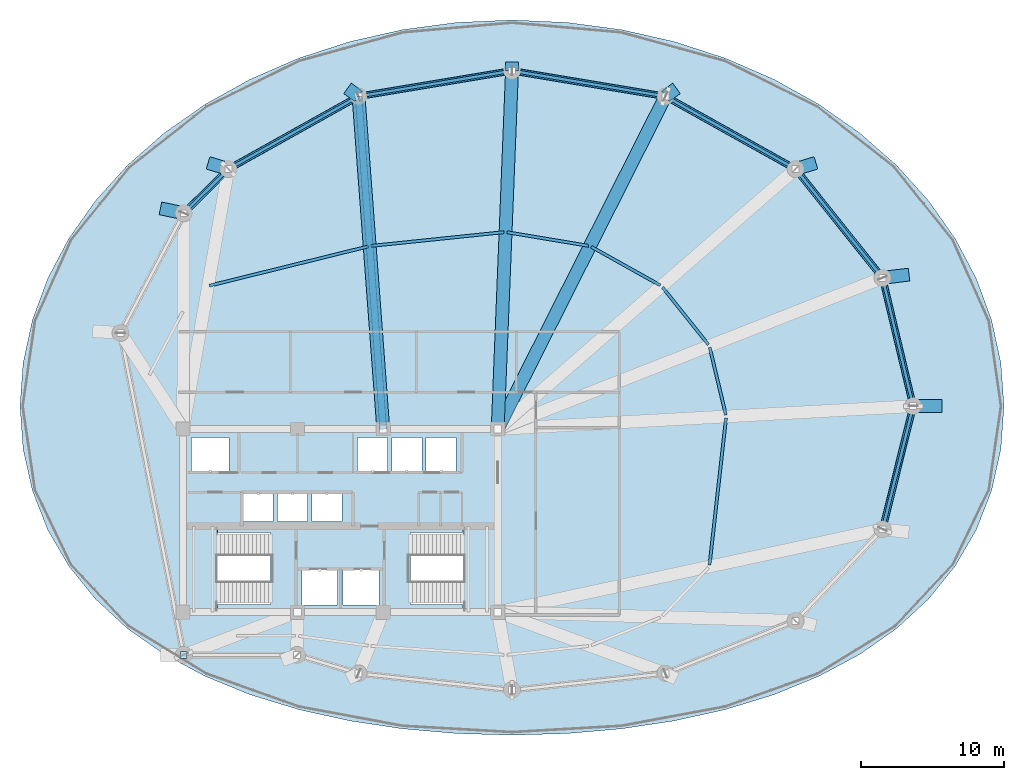
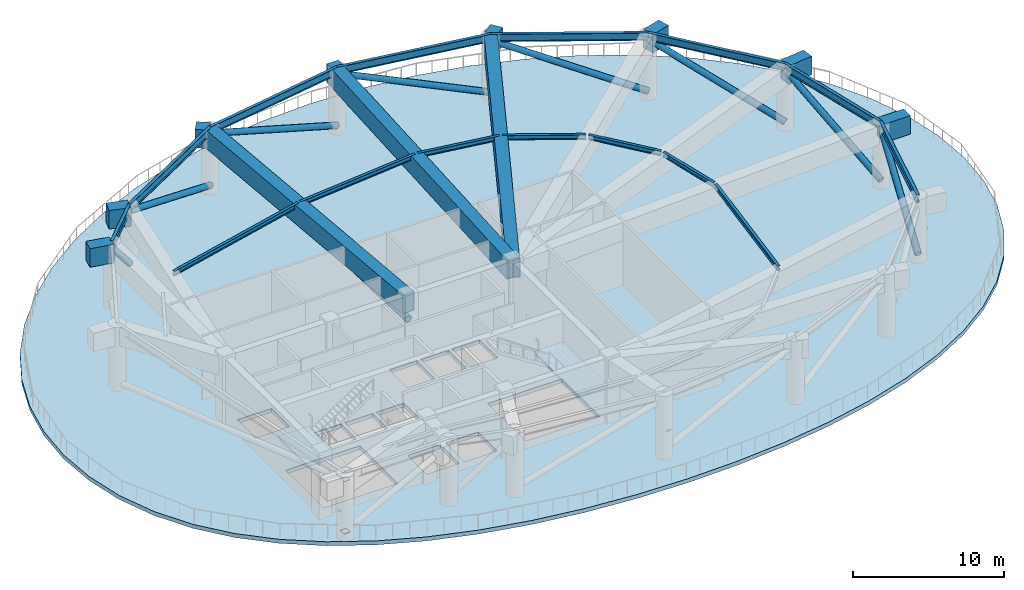
# One storey, part 2 of 9: 26 beams, 9 members, 3 slabs, 2 plates, 2 elements without a shape of their own.
"""IFC4 building model written with IfcOpenShell, lengths in metres."""

from ifc_helpers import new_model, si_unit, direction, frame, origin, origin_2d, place, context, subcontext, project, spatial, polyline, rectangle, hollow_circle, i_section, outline, extrude, material, layer, layer_set, material_profile, profile_set, type_object, element, aggregate, save


model = new_model("IFC4")

# Units and contexts
model_context = context("Model", 3, precision=1e-05, world=origin(), true_north=direction((0.0, 1.0)))
body_context = subcontext(model_context, "Body", "Model", "MODEL_VIEW")
ifc_project = project(units=[si_unit("LENGTHUNIT", "METRE"), si_unit("AREAUNIT", "SQUARE_METRE"), si_unit("VOLUMEUNIT", "CUBIC_METRE"), si_unit("PLANEANGLEUNIT", "RADIAN"), si_unit("MASSUNIT", "GRAM", prefix="KILO")], contexts=[model_context])

# Site, building, storey
site_placement = place(None, origin())
site = spatial("IfcSite", under=ifc_project, at=site_placement, CompositionType="ELEMENT")
building_placement = place(site_placement, origin())
building = spatial("IfcBuilding", under=site, at=building_placement, Name="Kazevale Care Tower and Concert Hall", CompositionType="ELEMENT")
storey_placement = place(building_placement, frame((0.0, 0.0, 181.800048828125)))
storey = spatial("IfcBuildingStorey", under=building, at=storey_placement, Name="L48", CompositionType="ELEMENT", Elevation=181.800048828125)

# Members
ifc_material_1 = material(Name="Steel ASTM A572 Gr 50", Category="steel")
ifc_material_profile_1 = material_profile(ifc_material_1, hollow_circle(Radius=0.228515625, WallThickness=0.028076171875, at=origin_2d()), Name="CHS457x28")
ifc_profile_set_1 = profile_set([ifc_material_profile_1], Name="Steel ASTM A572 Gr 50")
member_type_1 = type_object("IfcMemberType", Name="Belt Truss Diagonal CHS457x28", PredefinedType="BRACE", material=ifc_profile_set_1)
member_1_placement = place(storey_placement, frame((73.050048828125, 38.0, 0.39990234375), z_axis=(-0.211115596827, 0.88485034714, 0.415295157619), x_axis=(-0.972697881378, -0.232075055882, 0.0)))
element("IfcMember", 1, at=member_1_placement, inside=storey, type_object=member_type_1, Name="brace:L48:belt:01", PredefinedType="BRACE", context=body_context, shape_type="SweptSolid", body=[
    extrude(hollow_circle(Radius=0.228515625, WallThickness=0.028076171875, at=origin_2d()), origin(), (0.0, 0.0, 1.0), 10.13720703125),
])
member_2_placement = place(storey_placement, frame((70.909912109375, 46.969970703125, 0.39990234375), z_axis=(-0.57295285214, 0.717163127096, 0.396739307807), x_axis=(-0.781281895242, -0.624178340034, 0.0)))
element("IfcMember", 2, at=member_2_placement, inside=storey, type_object=member_type_1, Name="brace:L48:belt:02", PredefinedType="BRACE", context=body_context, shape_type="SweptSolid", body=[
    extrude(hollow_circle(Radius=0.228515625, WallThickness=0.028076171875, at=origin_2d()), origin(), (0.0, 0.0, 1.0), 10.611328125),
])
member_3_placement = place(storey_placement, frame((64.830078125, 54.580078125, 0.39990234375), z_axis=(-0.809608700584, 0.451937764476, 0.374547739252), x_axis=(-0.487418081297, -0.873168720251, 0.0)))
element("IfcMember", 3, at=member_3_placement, inside=storey, type_object=member_type_1, Name="brace:L48:belt:03", PredefinedType="BRACE", context=body_context, shape_type="SweptSolid", body=[
    extrude(hollow_circle(Radius=0.228515625, WallThickness=0.028076171875, at=origin_2d()), origin(), (0.0, 0.0, 1.0), 11.240234375),
])
for number, where, z_axis, x_axis, name in (
    (4, (55.72998046875, 59.659912109375, 0.39990234375), (-0.919883678493, 0.153460458037, 0.360920913582), (-0.164551840139, -0.986368436187, 0.0), "brace:L48:belt:04"),
    (5, (45.0, 61.449951171875, 0.39990234375), (-0.919883678493, -0.153460458037, 0.360920913582), (0.164551840139, -0.986368436187, 0.0), "brace:L48:belt:05"),
):
    element("IfcMember", number, at=place(storey_placement, frame(where, z_axis=z_axis, x_axis=x_axis)), inside=storey, type_object=member_type_1, Name=name, PredefinedType="BRACE", context=body_context, shape_type="SweptSolid", body=[
        extrude(hollow_circle(Radius=0.228515625, WallThickness=0.028076171875, at=origin_2d()), origin(), (0.0, 0.0, 1.0), 11.66455078125),
    ])
member_4_placement = place(storey_placement, frame((34.27001953125, 59.659912109375, 0.39990234375), z_axis=(-0.809608700584, -0.451937764476, 0.374547739252), x_axis=(0.487418081297, -0.873168720251, 0.0)))
element("IfcMember", 6, at=member_4_placement, inside=storey, type_object=member_type_1, Name="brace:L48:belt:06", PredefinedType="BRACE", context=body_context, shape_type="SweptSolid", body=[
    extrude(hollow_circle(Radius=0.228515625, WallThickness=0.028076171875, at=origin_2d()), origin(), (0.0, 0.0, 1.0), 11.240234375),
])
member_5_placement = place(storey_placement, frame((25.169921875, 54.580078125, 0.39990234375), z_axis=(-0.512862234566, -0.50796598348, 0.692056997641), x_axis=(0.703707154085, -0.710490141585, 0.0)))
element("IfcMember", 7, at=member_5_placement, inside=storey, type_object=member_type_1, Name="brace:L48:belt:07", PredefinedType="BRACE", context=body_context, shape_type="SweptSolid", body=[
    extrude(hollow_circle(Radius=0.228515625, WallThickness=0.028076171875, at=origin_2d()), origin(), (0.0, 0.0, 1.0), 6.083251953125),
])
member_6_placement = place(storey_placement, frame((70.909912109375, 29.389892578125, 0.39990234375), z_axis=(0.217930307813, 0.876767986041, 0.428700687648), x_axis=(-0.970470204653, 0.241221022882, 0.0)))
element("IfcMember", 8, at=member_6_placement, inside=storey, type_object=member_type_1, Name="brace:L48:belt:16", PredefinedType="BRACE", context=body_context, shape_type="SweptSolid", body=[
    extrude(hollow_circle(Radius=0.228515625, WallThickness=0.028076171875, at=origin_2d()), origin(), (0.0, 0.0, 1.0), 9.8203125),
])
ifc_material_profile_2 = material_profile(ifc_material_1, hollow_circle(Radius=0.25390625, WallThickness=0.031982421875, at=origin_2d()), Name="CHS508x32")
ifc_profile_set_2 = profile_set([ifc_material_profile_2], Name="Steel ASTM A572 Gr 50")
member_type_2 = type_object("IfcMemberType", Name="Outrigger Diagonal CHS508x32", PredefinedType="BRACE", material=ifc_profile_set_2)
member_7_placement = place(storey_placement, frame((36.0, 36.39990234375, 3.099853515625), z_axis=(-0.07401592923, 0.995162238995, 0.064604646103), x_axis=(-0.997245547011, -0.074170876808, 0.0)))
element("IfcMember", 9, at=member_7_placement, inside=storey, type_object=member_type_2, Name="brace:L48:outrig:2", PredefinedType="BRACE", context=body_context, shape_type="SweptSolid", body=[
    extrude(hollow_circle(Radius=0.25390625, WallThickness=0.031982421875, at=origin_2d()), origin(), (0.0, 0.0, 1.0), 23.373046875),
])

# Beams
ifc_material_2 = material(Name="Concrete C60", Category="concrete")
ifc_material_profile_3 = material_profile(ifc_material_2, rectangle(XDim=0.89990234375, YDim=1.5, at=origin_2d()), Name="RC-TG900x1500")
ifc_profile_set_3 = profile_set([ifc_material_profile_3], Name="Concrete C60")
beam_type_1 = type_object("IfcBeamType", Name="Podium Transfer Girder RC900x1500", PredefinedType="BEAM", material=ifc_profile_set_3)
beam_1_placement = place(storey_placement, frame((73.050048828125, 38.0, 4.409912109375), z_axis=(1.0, 0.0, 0.0), x_axis=(0.0, 1.0, 0.0)))
element("IfcBeam", 10, at=beam_1_placement, inside=storey, type_object=beam_type_1, Name="beam:L48:ztg_out:01", PredefinedType="BEAM", context=body_context, shape_type="SweptSolid", body=[
    extrude(rectangle(XDim=0.89990234375, YDim=1.5, at=origin_2d()), origin(), (0.0, 0.0, 1.0), 2.0),
])
beam_2_placement = place(storey_placement, frame((70.909912109375, 46.969970703125, 4.409912109375), z_axis=(0.992362261637, 0.123357779158, 0.0), x_axis=(-0.123357779158, 0.992362261637, 0.0)))
element("IfcBeam", 11, at=beam_2_placement, inside=storey, type_object=beam_type_1, Name="beam:L48:ztg_out:02", PredefinedType="BEAM", context=body_context, shape_type="SweptSolid", body=[
    extrude(rectangle(XDim=0.89990234375, YDim=1.5, at=origin_2d()), origin(), (0.0, 0.0, 1.0), 1.8642578125),
])
beam_3_placement = place(storey_placement, frame((64.830078125, 54.580078125, 4.409912109375), z_axis=(0.957089429883, 0.289792724557, 0.0), x_axis=(-0.289792724557, 0.957089429883, 0.0)))
element("IfcBeam", 12, at=beam_3_placement, inside=storey, type_object=beam_type_1, Name="beam:L48:ztg_out:03", PredefinedType="BEAM", context=body_context, shape_type="SweptSolid", body=[
    extrude(rectangle(XDim=0.89990234375, YDim=1.5, at=origin_2d()), origin(), (0.0, 0.0, 1.0), 1.483642578125),
])
beam_4_placement = place(storey_placement, frame((44.0, 36.39990234375, 4.409912109375), z_axis=(0.450281187568, 0.892886808124, 0.0), x_axis=(-0.892886808124, 0.450281187568, 0.0)))
element("IfcBeam", 13, at=beam_4_placement, inside=storey, type_object=beam_type_1, Name="beam:L48:ztg_in:04", PredefinedType="BEAM", context=body_context, shape_type="SweptSolid", body=[
    extrude(rectangle(XDim=0.89990234375, YDim=1.5, at=origin_2d()), origin(), (0.0, 0.0, 1.0), 26.05029296875),
])
beam_5_placement = place(storey_placement, frame((55.72998046875, 59.659912109375, 4.409912109375), z_axis=(0.808713907817, 0.588202189135, 0.0), x_axis=(-0.588202189135, 0.808713907817, 0.0)))
element("IfcBeam", 14, at=beam_5_placement, inside=storey, type_object=beam_type_1, Name="beam:L48:ztg_out:04", PredefinedType="BEAM", context=body_context, shape_type="SweptSolid", body=[
    extrude(rectangle(XDim=0.89990234375, YDim=1.5, at=origin_2d()), origin(), (0.0, 0.0, 1.0), 0.9521484375),
])
beam_6_placement = place(storey_placement, frame((44.0, 36.39990234375, 4.409912109375), z_axis=(0.039888311255, 0.99920414462, 0.0), x_axis=(-0.99920414462, 0.039888311255, 0.0)))
element("IfcBeam", 15, at=beam_6_placement, inside=storey, type_object=beam_type_1, Name="beam:L48:ztg_in:05", PredefinedType="BEAM", context=body_context, shape_type="SweptSolid", body=[
    extrude(rectangle(XDim=0.89990234375, YDim=1.5, at=origin_2d()), origin(), (0.0, 0.0, 1.0), 25.070068359375),
])
beam_7_placement = place(storey_placement, frame((45.0, 61.449951171875, 4.409912109375), z_axis=(0.0, 1.0, 0.0), x_axis=(-1.0, 0.0, 0.0)))
element("IfcBeam", 16, at=beam_7_placement, inside=storey, type_object=beam_type_1, Name="beam:L48:ztg_out:05", PredefinedType="BEAM", context=body_context, shape_type="SweptSolid", body=[
    extrude(rectangle(XDim=0.89990234375, YDim=1.5, at=origin_2d()), origin(), (0.0, 0.0, 1.0), 0.60009765625),
])
beam_8_placement = place(storey_placement, frame((36.0, 36.39990234375, 4.409912109375), z_axis=(-0.074170876808, 0.997245547011, 0.0), x_axis=(-0.997245547011, -0.074170876808, 0.0)))
element("IfcBeam", 17, at=beam_8_placement, inside=storey, type_object=beam_type_1, Name="beam:L48:ztg_in:06", PredefinedType="BEAM", context=body_context, shape_type="SweptSolid", body=[
    extrude(rectangle(XDim=0.89990234375, YDim=1.5, at=origin_2d()), origin(), (0.0, 0.0, 1.0), 23.32421875),
])
beam_9_placement = place(storey_placement, frame((34.27001953125, 59.659912109375, 4.409912109375), z_axis=(-0.808713907817, 0.588202189135, 0.0), x_axis=(-0.588202189135, -0.808713907817, 0.0)))
element("IfcBeam", 18, at=beam_9_placement, inside=storey, type_object=beam_type_1, Name="beam:L48:ztg_out:06", PredefinedType="BEAM", context=body_context, shape_type="SweptSolid", body=[
    extrude(rectangle(XDim=0.89990234375, YDim=1.5, at=origin_2d()), origin(), (0.0, 0.0, 1.0), 0.9521484375),
])
beam_10_placement = place(storey_placement, frame((25.169921875, 54.580078125, 4.409912109375), z_axis=(-0.957089429883, 0.289792724557, 0.0), x_axis=(-0.289792724557, -0.957089429883, 0.0)))
element("IfcBeam", 19, at=beam_10_placement, inside=storey, type_object=beam_type_1, Name="beam:L48:ztg_out:07", PredefinedType="BEAM", context=body_context, shape_type="SweptSolid", body=[
    extrude(rectangle(XDim=0.89990234375, YDim=1.5, at=origin_2d()), origin(), (0.0, 0.0, 1.0), 1.483642578125),
])
beam_11_placement = place(storey_placement, frame((22.050048828125, 51.489990234375, 4.409912109375), z_axis=(-0.978923053886, 0.204229416514, 0.0), x_axis=(-0.204229416514, -0.978923053886, 0.0)))
element("IfcBeam", 20, at=beam_11_placement, inside=storey, type_object=beam_type_1, Name="beam:L48:ztg_out:08", PredefinedType="BEAM", context=body_context, shape_type="SweptSolid", body=[
    extrude(rectangle(XDim=0.89990234375, YDim=1.5, at=origin_2d()), origin(), (0.0, 0.0, 1.0), 1.665283203125),
])
ifc_material_profile_4 = material_profile(ifc_material_1, i_section(OverallWidth=0.22900390625, OverallDepth=0.612060546875, WebThickness=0.011962890625, FlangeThickness=0.01953125, at=origin_2d()), Name="W610x125")
ifc_profile_set_4 = profile_set([ifc_material_profile_4], Name="Steel ASTM A572 Gr 50")
beam_type_2 = type_object("IfcBeamType", Name="Ring Spandrel Beam W610x125", PredefinedType="SPANDREL", material=ifc_profile_set_4)
beam_12_placement = place(storey_placement, frame((73.050048828125, 38.0, 4.85400390625), z_axis=(-0.232075055882, 0.972697881378, 0.0), x_axis=(-0.972697881378, -0.232075055882, 0.0)))
element("IfcBeam", 21, at=beam_12_placement, inside=storey, type_object=beam_type_2, Name="beam:L48:ring:01", PredefinedType="SPANDREL", context=body_context, shape_type="SweptSolid", body=[
    extrude(i_section(OverallWidth=0.22900390625, OverallDepth=0.612060546875, WebThickness=0.011962890625, FlangeThickness=0.01953125, at=origin_2d()), origin(), (0.0, 0.0, 1.0), 9.2216796875),
])
beam_13_placement = place(storey_placement, frame((70.909912109375, 46.969970703125, 4.85400390625), z_axis=(-0.624178340034, 0.781281895242, 0.0), x_axis=(-0.781281895242, -0.624178340034, 0.0)))
element("IfcBeam", 22, at=beam_13_placement, inside=storey, type_object=beam_type_2, Name="beam:L48:ring:02", PredefinedType="SPANDREL", context=body_context, shape_type="SweptSolid", body=[
    extrude(i_section(OverallWidth=0.22900390625, OverallDepth=0.612060546875, WebThickness=0.011962890625, FlangeThickness=0.01953125, at=origin_2d()), origin(), (0.0, 0.0, 1.0), 9.740478515625),
])
beam_14_placement = place(storey_placement, frame((64.830078125, 54.580078125, 4.85400390625), z_axis=(-0.873168720251, 0.487418081297, 0.0), x_axis=(-0.487418081297, -0.873168720251, 0.0)))
element("IfcBeam", 23, at=beam_14_placement, inside=storey, type_object=beam_type_2, Name="beam:L48:ring:03", PredefinedType="SPANDREL", context=body_context, shape_type="SweptSolid", body=[
    extrude(i_section(OverallWidth=0.22900390625, OverallDepth=0.612060546875, WebThickness=0.011962890625, FlangeThickness=0.01953125, at=origin_2d()), origin(), (0.0, 0.0, 1.0), 10.421875),
])
for number, where, z_axis, x_axis, name in (
    (24, (55.72998046875, 59.659912109375, 4.85400390625), (-0.986368436187, 0.164551840139, 0.0), (-0.164551840139, -0.986368436187, 0.0), "beam:L48:ring:04"),
    (25, (45.0, 61.449951171875, 4.85400390625), (-0.986368436187, -0.164551840139, 0.0), (0.164551840139, -0.986368436187, 0.0), "beam:L48:ring:05"),
):
    element("IfcBeam", number, at=place(storey_placement, frame(where, z_axis=z_axis, x_axis=x_axis)), inside=storey, type_object=beam_type_2, Name=name, PredefinedType="SPANDREL", context=body_context, shape_type="SweptSolid", body=[
        extrude(i_section(OverallWidth=0.22900390625, OverallDepth=0.612060546875, WebThickness=0.011962890625, FlangeThickness=0.01953125, at=origin_2d()), origin(), (0.0, 0.0, 1.0), 10.878173828125),
    ])
beam_15_placement = place(storey_placement, frame((34.27001953125, 59.659912109375, 4.85400390625), z_axis=(-0.873168720251, -0.487418081297, 0.0), x_axis=(0.487418081297, -0.873168720251, 0.0)))
element("IfcBeam", 26, at=beam_15_placement, inside=storey, type_object=beam_type_2, Name="beam:L48:ring:06", PredefinedType="SPANDREL", context=body_context, shape_type="SweptSolid", body=[
    extrude(i_section(OverallWidth=0.22900390625, OverallDepth=0.612060546875, WebThickness=0.011962890625, FlangeThickness=0.01953125, at=origin_2d()), origin(), (0.0, 0.0, 1.0), 10.421875),
])
beam_16_placement = place(storey_placement, frame((25.169921875, 54.580078125, 4.85400390625), z_axis=(-0.710490141585, -0.703707154085, 0.0), x_axis=(0.703707154085, -0.710490141585, 0.0)))
element("IfcBeam", 27, at=beam_16_placement, inside=storey, type_object=beam_type_2, Name="beam:L48:ring:07", PredefinedType="SPANDREL", context=body_context, shape_type="SweptSolid", body=[
    extrude(i_section(OverallWidth=0.22900390625, OverallDepth=0.612060546875, WebThickness=0.011962890625, FlangeThickness=0.01953125, at=origin_2d()), origin(), (0.0, 0.0, 1.0), 4.39111328125),
])
beam_17_placement = place(storey_placement, frame((70.909912109375, 29.389892578125, 4.85400390625), z_axis=(0.241221022882, 0.970470204653, 0.0), x_axis=(-0.970470204653, 0.241221022882, 0.0)))
element("IfcBeam", 28, at=beam_17_placement, inside=storey, type_object=beam_type_2, Name="beam:L48:ring:16", PredefinedType="SPANDREL", context=body_context, shape_type="SweptSolid", body=[
    extrude(i_section(OverallWidth=0.22900390625, OverallDepth=0.612060546875, WebThickness=0.011962890625, FlangeThickness=0.01953125, at=origin_2d()), origin(), (0.0, 0.0, 1.0), 8.8720703125),
])
ifc_material_profile_5 = material_profile(ifc_material_1, i_section(OverallWidth=0.205078125, OverallDepth=0.35400390625, WebThickness=0.009521484375, FlangeThickness=0.016845703125, at=origin_2d()), Name="W360x79")
ifc_profile_set_5 = profile_set([ifc_material_profile_5], Name="Steel ASTM A572 Gr 50")
beam_type_3 = type_object("IfcBeamType", Name="Secondary Floor Joist W360x79", PredefinedType="JOIST", material=ifc_profile_set_5)
beam_18_placement = place(storey_placement, frame((59.952880859375, 37.382080078125, 4.98291015625), z_axis=(-0.232005223279, 0.972714540023, 0.0), x_axis=(-0.972714540023, -0.232005223279, 0.0)))
element("IfcBeam", 29, at=beam_18_placement, inside=storey, type_object=beam_type_3, Name="beam:L48:joist:01", PredefinedType="JOIST", context=body_context, shape_type="SweptSolid", body=[
    extrude(i_section(OverallWidth=0.205078125, OverallDepth=0.35400390625, WebThickness=0.009521484375, FlangeThickness=0.016845703125, at=origin_2d()), origin(), (0.0, 0.0, 1.0), 4.861572265625),
])
beam_19_placement = place(storey_placement, frame((58.735107421875, 42.2958984375, 4.98291015625), z_axis=(-0.624261115922, 0.781215757104, 0.0), x_axis=(-0.781215757104, -0.624261115922, 0.0)))
element("IfcBeam", 30, at=beam_19_placement, inside=storey, type_object=beam_type_3, Name="beam:L48:joist:02", PredefinedType="JOIST", context=body_context, shape_type="SweptSolid", body=[
    extrude(i_section(OverallWidth=0.205078125, OverallDepth=0.35400390625, WebThickness=0.009521484375, FlangeThickness=0.016845703125, at=origin_2d()), origin(), (0.0, 0.0, 1.0), 5.147216796875),
])
beam_20_placement = place(storey_placement, frame((55.364990234375, 46.449951171875, 4.98291015625), z_axis=(-0.873137755824, 0.487473547338, 0.0), x_axis=(-0.487473547338, -0.873137755824, 0.0)))
element("IfcBeam", 31, at=beam_20_placement, inside=storey, type_object=beam_type_3, Name="beam:L48:joist:03", PredefinedType="JOIST", context=body_context, shape_type="SweptSolid", body=[
    extrude(i_section(OverallWidth=0.205078125, OverallDepth=0.35400390625, WebThickness=0.009521484375, FlangeThickness=0.016845703125, at=origin_2d()), origin(), (0.0, 0.0, 1.0), 5.522705078125),
])
beam_21_placement = place(storey_placement, frame((50.347900390625, 49.2099609375, 4.98291015625), z_axis=(-0.986366476547, 0.164563586324, 0.0), x_axis=(-0.164563586324, -0.986366476547, 0.0)))
element("IfcBeam", 32, at=beam_21_placement, inside=storey, type_object=beam_type_3, Name="beam:L48:joist:04", PredefinedType="JOIST", context=body_context, shape_type="SweptSolid", body=[
    extrude(i_section(OverallWidth=0.205078125, OverallDepth=0.35400390625, WebThickness=0.009521484375, FlangeThickness=0.016845703125, at=origin_2d()), origin(), (0.0, 0.0, 1.0), 5.7724609375),
])
beam_22_placement = place(storey_placement, frame((44.446044921875, 50.1669921875, 4.98291015625), z_axis=(-0.994674810104, -0.10306319491, 0.0), x_axis=(0.10306319491, -0.994674810104, 0.0)))
element("IfcBeam", 33, at=beam_22_placement, inside=storey, type_object=beam_type_3, Name="beam:L48:joist:05", PredefinedType="JOIST", context=body_context, shape_type="SweptSolid", body=[
    extrude(i_section(OverallWidth=0.205078125, OverallDepth=0.35400390625, WebThickness=0.009521484375, FlangeThickness=0.016845703125, at=origin_2d()), origin(), (0.0, 0.0, 1.0), 9.3427734375),
])
beam_23_placement = place(storey_placement, frame((34.947021484375, 49.16796875, 4.98291015625), z_axis=(-0.970789504014, -0.239932779954, 0.0), x_axis=(0.239932779954, -0.970789504014, 0.0)))
element("IfcBeam", 34, at=beam_23_placement, inside=storey, type_object=beam_type_3, Name="beam:L48:joist:06", PredefinedType="JOIST", context=body_context, shape_type="SweptSolid", body=[
    extrude(i_section(OverallWidth=0.205078125, OverallDepth=0.35400390625, WebThickness=0.009521484375, FlangeThickness=0.016845703125, at=origin_2d()), origin(), (0.0, 0.0, 1.0), 11.43603515625),
])
beam_24_placement = place(storey_placement, frame((58.81201171875, 26.888916015625, 4.98291015625), z_axis=(0.111485011105, 0.993766115491, 0.0), x_axis=(-0.993766115491, 0.111485011105, 0.0)))
element("IfcBeam", 35, at=beam_24_placement, inside=storey, type_object=beam_type_3, Name="beam:L48:joist:16", PredefinedType="JOIST", context=body_context, shape_type="SweptSolid", body=[
    extrude(i_section(OverallWidth=0.205078125, OverallDepth=0.35400390625, WebThickness=0.009521484375, FlangeThickness=0.016845703125, at=origin_2d()), origin(), (0.0, 0.0, 1.0), 10.3515625),
])

# Plates
ifc_layer_1 = layer(ifc_material_1, 0.02490234375)
ifc_layer_set_1 = layer_set([ifc_layer_1], Name="Steel ASTM A572 Gr 50")
plate_type = type_object("IfcPlateType", Name="Hollow Section End Cap Plate 25mm", PredefinedType="USERDEFINED", material=ifc_layer_set_1)
for number, where, z_axis, x_axis, name in (
    (36, (22.050048828125, 20.60009765625, 4.597412109375), (0.0, 0.0, 1.0), (1.0, 0.0, 0.0), "brace:L48:belt:09:cap1"),
    (37, (22.050048828125, 20.60009765625, 0.387451171875), (0.0, 0.0, 1.0), (1.0, 0.0, 0.0), "brace:L48:belt:10:cap0"),
):
    element("IfcPlate", number, at=place(storey_placement, frame(where, z_axis=z_axis, x_axis=x_axis)), inside=storey, type_object=plate_type, Name=name, ObjectType="END_CAP_PLATE", PredefinedType="USERDEFINED", context=body_context, shape_type="SweptSolid", body=[
        extrude(rectangle(XDim=0.47998046875, YDim=0.47998046875, at=origin_2d()), origin(), (0.0, 0.0, 1.0), 0.02490234375),
    ])

# Stair, slab
ifc_material_3 = material(Name="Concrete C40", Category="concrete")
stair_type = type_object("IfcStairType", Name="Exit Stair Assembly ST1-W", PredefinedType="HALF_TURN_STAIR", material=ifc_material_3)
stair_1_placement = place(storey_placement, origin())
stair_1 = element("IfcStair", 38, at=stair_1_placement, inside=storey, type_object=stair_type, Name="stair:L48:ST1", PredefinedType="HALF_TURN_STAIR")
ifc_layer_2 = layer(ifc_material_3, 0.199951171875)
ifc_layer_set_2 = layer_set([ifc_layer_2], Name="Concrete C40")
slab_type_1 = type_object("IfcSlabType", Name="Stair Half-Landing Slab ST1-W", PredefinedType="LANDING", material=ifc_layer_set_2)
slab_1_placement = place(storey_placement, frame((0.0, 0.0, 2.5)))
slab_1 = element("IfcSlab", 39, at=slab_1_placement, type_object=slab_type_1, Name="ST1-W landing 1", PredefinedType="LANDING", context=body_context, shape_type="SweptSolid", body=[
    extrude(outline(polyline([(22.050048828125, 23.699951171875), (24.409912109375, 23.699951171875), (24.409912109375, 29.5), (22.050048828125, 29.5), (22.050048828125, 23.699951171875)])), origin(), (0.0, 0.0, 1.0), 0.199951171875),
])
aggregate(stair_1, [slab_1])

stair_2_placement = place(storey_placement, origin())
stair_2 = element("IfcStair", 40, at=stair_2_placement, inside=storey, type_object=stair_type, Name="stair:L48:ST2", PredefinedType="HALF_TURN_STAIR")
slab_2_placement = place(storey_placement, frame((0.0, 0.0, 2.5)))
slab_2 = element("IfcSlab", 41, at=slab_2_placement, type_object=slab_type_1, Name="ST1-W landing 1", PredefinedType="LANDING", context=body_context, shape_type="SweptSolid", body=[
    extrude(outline(polyline([(41.590087890625, 23.699951171875), (43.949951171875, 23.699951171875), (43.949951171875, 29.5), (41.590087890625, 29.5), (41.590087890625, 23.699951171875)])), origin(), (0.0, 0.0, 1.0), 0.199951171875),
])
aggregate(stair_2, [slab_2])

# Slab
ifc_material_4 = material(Name="Concrete C50", Category="concrete")
ifc_layer_3 = layer(ifc_material_4, 0.320068359375)
ifc_layer_set_3 = layer_set([ifc_layer_3], Name="Concrete C50")
slab_type_2 = type_object("IfcSlabType", Name="Transfer & Refuge Floor Slab 320", PredefinedType="FLOOR", material=ifc_layer_set_3)
slab_3_placement = place(storey_placement, frame((0.0, 0.0, -0.320068359375)))
element("IfcSlab", 42, at=slab_3_placement, inside=storey, type_object=slab_type_2, Name="slab:L48:tw:1", PredefinedType="FLOOR", context=body_context, shape_type="SweptSolid", body=[
    extrude(outline(polyline([(79.39990234375, 38.0), (79.18359375, 41.02294921875), (78.53759765625, 44.008056640625), (77.469482421875, 46.91748046875), (75.993408203125, 49.71484375), (74.127197265625, 52.364990234375), (71.89501953125, 54.834228515625), (69.324462890625, 57.091796875), (66.447998046875, 59.109619140625), (63.302001953125, 60.861572265625), (59.925537109375, 62.326171875), (56.361572265625, 63.48486328125), (52.65478515625, 64.322998046875), (48.8515625, 64.830078125), (45.0, 65.0), (41.1484375, 64.830078125), (37.34521484375, 64.322998046875), (33.638427734375, 63.48486328125), (30.074462890625, 62.326171875), (26.697998046875, 60.861572265625), (23.552001953125, 59.109619140625), (20.675537109375, 57.091796875), (18.10498046875, 54.834228515625), (15.872802734375, 52.364990234375), (14.006591796875, 49.71484375), (12.530517578125, 46.91748046875), (11.46240234375, 44.008056640625), (10.81640625, 41.02294921875), (10.60009765625, 38.0), (10.81640625, 34.997802734375), (11.46240234375, 32.1005859375), (12.530517578125, 29.362548828125), (14.006591796875, 26.82421875), (15.872802734375, 24.514892578125), (18.10498046875, 22.452880859375), (20.675537109375, 20.649169921875), (23.552001953125, 19.1064453125), (26.697998046875, 17.821533203125), (30.074462890625, 16.7880859375), (33.638427734375, 15.997314453125), (37.34521484375, 15.4404296875), (41.1484375, 15.109619140625), (45.0, 15.0), (48.8515625, 15.109619140625), (52.65478515625, 15.4404296875), (56.361572265625, 15.997314453125), (59.925537109375, 16.7880859375), (63.302001953125, 17.821533203125), (66.447998046875, 19.1064453125), (69.324462890625, 20.649169921875), (71.89501953125, 22.452880859375), (74.127197265625, 24.514892578125), (75.993408203125, 26.82421875), (77.469482421875, 29.362548828125), (78.53759765625, 32.1005859375), (79.18359375, 34.997802734375), (79.39990234375, 38.0)]), holes=[polyline([(22.449951171875, 24.14990234375), (28.110107421875, 24.14990234375), (28.110107421875, 29.14990234375), (22.449951171875, 29.14990234375), (22.449951171875, 24.14990234375)]), polyline([(37.889892578125, 24.14990234375), (43.550048828125, 24.14990234375), (43.550048828125, 29.14990234375), (37.889892578125, 29.14990234375), (37.889892578125, 24.14990234375)]), polyline([(30.300048828125, 24.10009765625), (32.800048828125, 24.10009765625), (32.800048828125, 26.60009765625), (30.300048828125, 26.60009765625), (30.300048828125, 24.10009765625)]), polyline([(33.199951171875, 24.10009765625), (35.699951171875, 24.10009765625), (35.699951171875, 26.60009765625), (33.199951171875, 26.60009765625), (33.199951171875, 24.10009765625)]), polyline([(22.60009765625, 33.39990234375), (25.199951171875, 33.39990234375), (25.199951171875, 35.800048828125), (22.60009765625, 35.800048828125), (22.60009765625, 33.39990234375)]), polyline([(34.199951171875, 33.39990234375), (36.300048828125, 33.39990234375), (36.300048828125, 35.800048828125), (34.199951171875, 35.800048828125), (34.199951171875, 33.39990234375)]), polyline([(36.60009765625, 33.39990234375), (38.699951171875, 33.39990234375), (38.699951171875, 35.800048828125), (36.60009765625, 35.800048828125), (36.60009765625, 33.39990234375)]), polyline([(39.0, 33.39990234375), (41.10009765625, 33.39990234375), (41.10009765625, 35.800048828125), (39.0, 35.800048828125), (39.0, 33.39990234375)]), polyline([(26.199951171875, 29.949951171875), (28.300048828125, 29.949951171875), (28.300048828125, 31.949951171875), (26.199951171875, 31.949951171875), (26.199951171875, 29.949951171875)]), polyline([(28.60009765625, 29.949951171875), (30.699951171875, 29.949951171875), (30.699951171875, 31.949951171875), (28.60009765625, 31.949951171875), (28.60009765625, 29.949951171875)]), polyline([(31.0, 29.949951171875), (33.10009765625, 29.949951171875), (33.10009765625, 31.949951171875), (31.0, 31.949951171875), (31.0, 29.949951171875)])]), origin(), (0.0, 0.0, 1.0), 0.320068359375),
])

save(model, "model.ifc")
